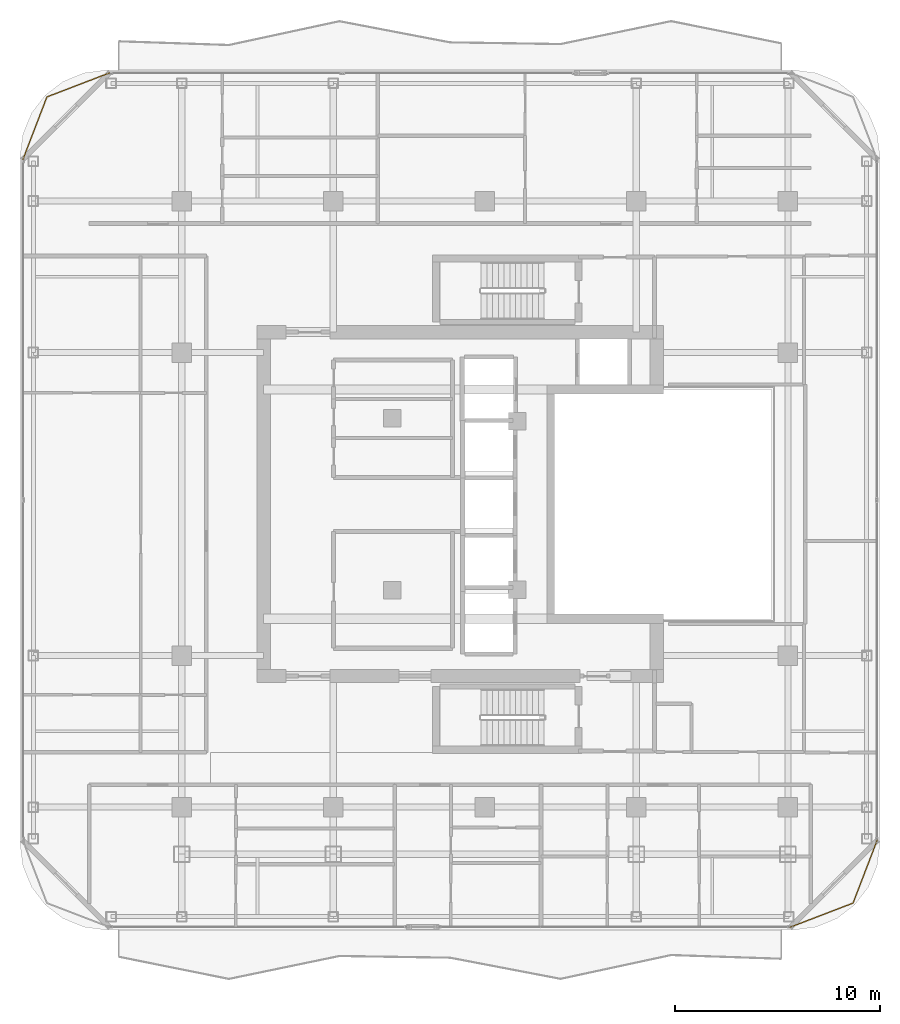
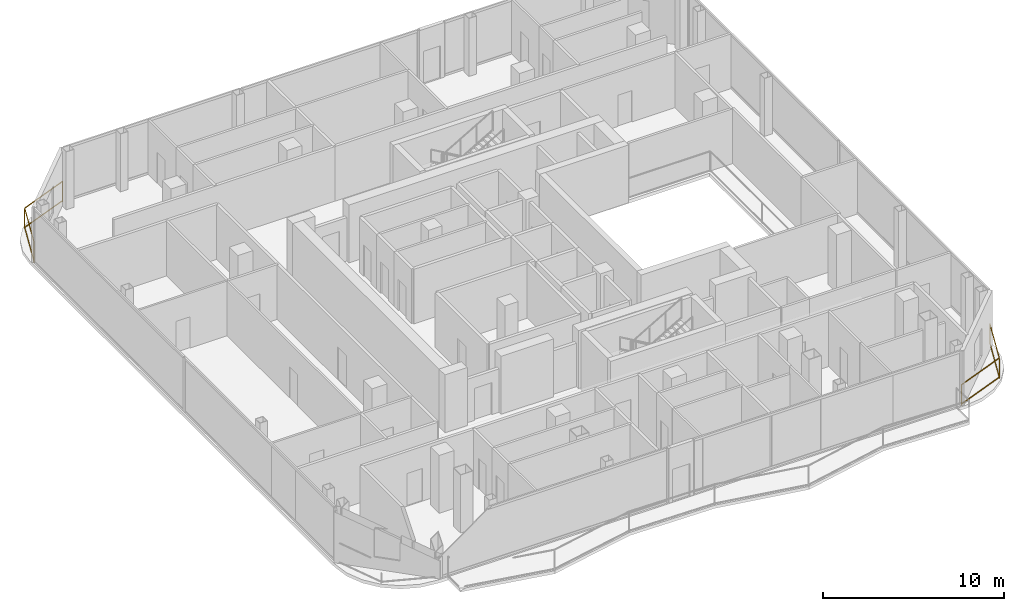
# One storey, part 21 of 22: 2 railings.
"""IFC4 building model written with IfcOpenShell, lengths in metres."""

from ifc_helpers import new_model, si_unit, direction, frame, origin, origin_2d, place, context, subcontext, project, spatial, rectangle, extrude, material, type_object, element, save


model = new_model("IFC4")

# Units and contexts
model_context = context("Model", 3, precision=1e-05, world=origin(), true_north=direction((0.0, 1.0)))
body_context = subcontext(model_context, "Body", "Model", "MODEL_VIEW")
ifc_project = project(units=[si_unit("LENGTHUNIT", "METRE"), si_unit("AREAUNIT", "SQUARE_METRE"), si_unit("VOLUMEUNIT", "CUBIC_METRE"), si_unit("PLANEANGLEUNIT", "RADIAN"), si_unit("MASSUNIT", "GRAM", prefix="KILO")], contexts=[model_context])

# Site, building, storey
site_placement = place(None, origin())
site = spatial("IfcSite", under=ifc_project, at=site_placement, CompositionType="ELEMENT")
building_placement = place(site_placement, origin())
building = spatial("IfcBuilding", under=site, at=building_placement, Name="Khorvyn Point Tower", CompositionType="ELEMENT")
storey_placement = place(building_placement, frame((0.0, 0.0, 305.39990234375)))
storey = spatial("IfcBuildingStorey", under=building, at=storey_placement, Name="L75", CompositionType="ELEMENT", Elevation=305.39990234375)

# Railings
ifc_material = material(Name="Anodised aluminium 6063-T6 and laminated safety glass", Category="aluminium")
railing_type = type_object("IfcRailingType", Name="Laminated Glass and Aluminium Balcony Guardrail 1400", PredefinedType="BALUSTRADE", material=ifc_material)
railing_1_placement = place(storey_placement, frame((-18.28662109375, 21.074462890625, 0.0)))
element("IfcRailing", 1, at=railing_1_placement, inside=storey, type_object=railing_type, Name="L75 Rounded Corner Edge Guardrail NW", PredefinedType="BALUSTRADE", context=body_context, shape_type="SweptSolid", body=[
    extrude(rectangle(XDim=0.048095703125, YDim=0.048095703125, at=origin_2d()), frame((0.0, 0.0, 1.3759765625), z_axis=(-0.93357103624, -0.358392411044, 0.0), x_axis=(0.358392411044, -0.93357103624, 0.0)), (0.0, 0.0, 1.0), 3.31884765625),
    extrude(rectangle(XDim=0.048095703125, YDim=0.048095703125, at=origin_2d()), frame((0.0, 0.0, 0.080078125), z_axis=(-0.93357103624, -0.358392411044, 0.0), x_axis=(0.358392411044, -0.93357103624, 0.0)), (0.0, 0.0, 1.0), 3.31884765625),
    extrude(rectangle(XDim=0.048095703125, YDim=0.048095703125, at=origin_2d()), frame((-3.098388671875, -1.189453125, 1.3759765625), z_axis=(-0.358392411044, -0.93357103624, 0.0), x_axis=(0.93357103624, -0.358392411044, 0.0)), (0.0, 0.0, 1.0), 3.31884765625),
    extrude(rectangle(XDim=0.048095703125, YDim=0.048095703125, at=origin_2d()), frame((-3.098388671875, -1.189453125, 0.080078125), z_axis=(-0.358392411044, -0.93357103624, 0.0), x_axis=(0.93357103624, -0.358392411044, 0.0)), (0.0, 0.0, 1.0), 3.31884765625),
    extrude(rectangle(XDim=0.0419921875, YDim=0.0419921875, at=origin_2d()), origin(), (0.0, 0.0, 1.0), 1.351806640625),
    extrude(rectangle(XDim=0.0419921875, YDim=0.0419921875, at=origin_2d()), frame((-3.098388671875, -1.189453125, 0.0)), (0.0, 0.0, 1.0), 1.351806640625),
    extrude(rectangle(XDim=0.0419921875, YDim=0.0419921875, at=origin_2d()), frame((-4.287841796875, -4.287841796875, 0.0)), (0.0, 0.0, 1.0), 1.351806640625),
])
railing_2_placement = place(storey_placement, frame((14.886474609375, -20.67431640625, 0.0)))
element("IfcRailing", 2, at=railing_2_placement, inside=storey, type_object=railing_type, Name="L75 Rounded Corner Edge Guardrail SE", PredefinedType="BALUSTRADE", context=body_context, shape_type="SweptSolid", body=[
    extrude(rectangle(XDim=0.048095703125, YDim=0.048095703125, at=origin_2d()), frame((0.0, 0.0, 1.3759765625), z_axis=(0.933605091831, 0.358303687544, 0.0), x_axis=(-0.358303687544, 0.933605091831, 0.0)), (0.0, 0.0, 1.0), 3.319091796875),
    extrude(rectangle(XDim=0.048095703125, YDim=0.048095703125, at=origin_2d()), frame((0.0, 0.0, 0.080078125), z_axis=(0.933605091831, 0.358303687544, 0.0), x_axis=(-0.358303687544, 0.933605091831, 0.0)), (0.0, 0.0, 1.0), 3.319091796875),
    extrude(rectangle(XDim=0.048095703125, YDim=0.048095703125, at=origin_2d()), frame((3.0986328125, 1.189208984375, 1.3759765625), z_axis=(0.358303687544, 0.933605091831, 0.0), x_axis=(-0.933605091831, 0.358303687544, 0.0)), (0.0, 0.0, 1.0), 3.319091796875),
    extrude(rectangle(XDim=0.048095703125, YDim=0.048095703125, at=origin_2d()), frame((3.0986328125, 1.189208984375, 0.080078125), z_axis=(0.358303687544, 0.933605091831, 0.0), x_axis=(-0.933605091831, 0.358303687544, 0.0)), (0.0, 0.0, 1.0), 3.319091796875),
    extrude(rectangle(XDim=0.0419921875, YDim=0.0419921875, at=origin_2d()), origin(), (0.0, 0.0, 1.0), 1.351806640625),
    extrude(rectangle(XDim=0.0419921875, YDim=0.0419921875, at=origin_2d()), frame((3.0986328125, 1.189208984375, 0.0)), (0.0, 0.0, 1.0), 1.351806640625),
    extrude(rectangle(XDim=0.0419921875, YDim=0.0419921875, at=origin_2d()), frame((4.287841796875, 4.287841796875, 0.0)), (0.0, 0.0, 1.0), 1.351806640625),
])

save(model, "model.ifc")
